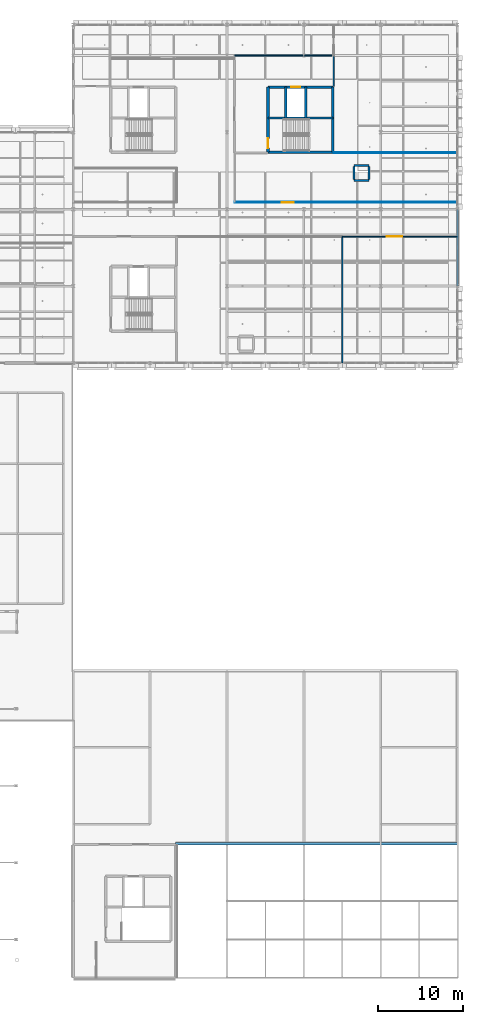
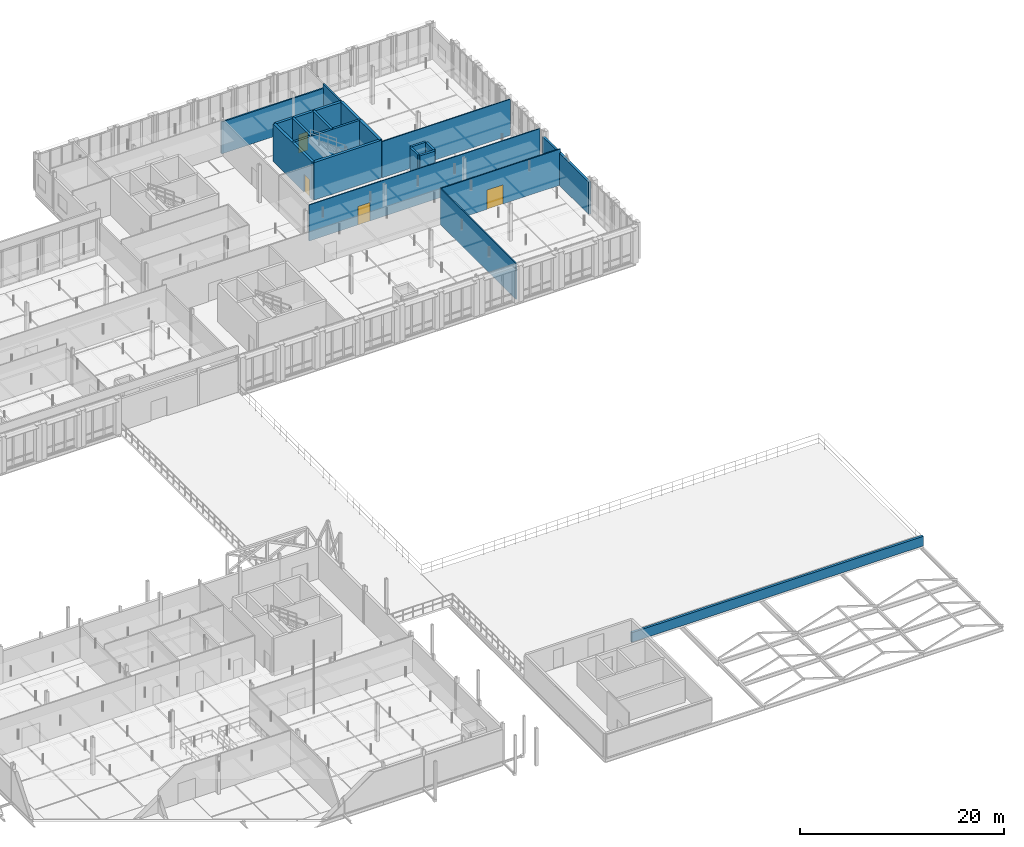
# One storey, part 50 of 89: 19 walls, 4 doors, 4 openings.
"""IFC4 building model written with IfcOpenShell, lengths in metres."""

from ifc_helpers import new_model, si_unit, direction, frame, frame_2d, origin, place, context, subcontext, project, spatial, rectangle, extrude, material, layer, layer_set, type_object, element, fill, save


model = new_model("IFC4")

# Units and contexts
model_context = context("Model", 3, precision=1e-05, world=origin(), true_north=direction((0.0, 1.0)))
body_context = subcontext(model_context, "Body", "Model", "MODEL_VIEW")
ifc_project = project(units=[si_unit("LENGTHUNIT", "METRE"), si_unit("AREAUNIT", "SQUARE_METRE"), si_unit("VOLUMEUNIT", "CUBIC_METRE"), si_unit("PLANEANGLEUNIT", "RADIAN"), si_unit("MASSUNIT", "GRAM", prefix="KILO"), si_unit("THERMODYNAMICTEMPERATUREUNIT", "KELVIN"), si_unit("POWERUNIT", "WATT")], contexts=[model_context])

# Site, building, storey
site_placement = place(None, origin())
site = spatial("IfcSite", under=ifc_project, at=site_placement, CompositionType="ELEMENT")
building_placement = place(site_placement, origin())
building = spatial("IfcBuilding", under=site, at=building_placement, Name="Tallowbark Science Centre", CompositionType="ELEMENT")
storey_placement = place(building_placement, frame((0.0, 0.0, 14.39990234375)))
storey = spatial("IfcBuildingStorey", under=building, at=storey_placement, Name="L03", CompositionType="ELEMENT", Elevation=14.39990234375)

# Walls
ifc_material_1 = material(Name="Capped Terracotta-Clad Roof Parapet Grade N40 (40 MPa)", Category="masonry")
ifc_layer_1 = layer(ifc_material_1, 0.264892578125)
ifc_layer_set_1 = layer_set([ifc_layer_1], Name="Capped Terracotta-Clad Roof Parapet Grade N40 (40 MPa)")
wall_type_1 = type_object("IfcWallType", Name="EWL-PAR-265", PredefinedType="PARAPET", material=ifc_layer_set_1)
wall_1_placement = place(storey_placement, frame((124.5, 15.719970703125, 0.0), z_axis=(0.0, 0.0, 1.0), x_axis=(1.0, 0.0, 0.0)))
element("IfcWall", 1, at=wall_1_placement, inside=storey, type_object=wall_type_1, Name="Roof Parapet PAR-THT-G", PredefinedType="PARAPET", context=body_context, shape_type="SweptSolid", body=[
    extrude(rectangle(XDim=33.0, YDim=0.264892578125, at=frame_2d((16.5, 0.0))), origin(), (0.0, 0.0, 1.0), 1.150146484375),
])
ifc_material_2 = material(Name="Insulated Precast Concrete Panel Grade N40 (40 MPa)", Category="concrete")
ifc_layer_2 = layer(ifc_material_2, 0.25)
ifc_layer_set_2 = layer_set([ifc_layer_2], Name="Insulated Precast Concrete Panel Grade N40 (40 MPa)")
wall_type_2 = type_object("IfcWallType", Name="EWL-PRC-250", PredefinedType="STANDARD", material=ifc_layer_set_2)
wall_2_placement = place(storey_placement, frame((157.5, 81.0, 0.0), z_axis=(0.0, 0.0, 1.0), x_axis=(0.0, 1.0, 0.0)))
element("IfcWall", 2, at=wall_2_placement, inside=storey, type_object=wall_type_2, Name="Exterior Wall OBS-E-L03-81", PredefinedType="STANDARD", context=body_context, shape_type="SweptSolid", body=[
    extrude(rectangle(XDim=9.0, YDim=0.25, at=frame_2d((4.5, 0.0))), origin(), (0.0, 0.0, 1.0), 3.84619140625),
])
ifc_material_3 = material(Name="116 mm Acoustic Steel Stud and 16 mm Fire-Rated Plasterboard", Category="steel")
ifc_layer_3 = layer(ifc_material_3, 0.115966796875)
ifc_layer_set_3 = layer_set([ifc_layer_3], Name="116 mm Acoustic Steel Stud and 16 mm Fire-Rated Plasterboard")
wall_type_3 = type_object("IfcWallType", Name="PTW-116", PredefinedType="PARTITIONING", material=ifc_layer_set_3)
wall_3_placement = place(storey_placement, frame((143.0, 96.60009765625, 0.0), z_axis=(0.0, 0.0, 1.0), x_axis=(1.0, 0.0, 0.0)))
element("IfcWall", 3, at=wall_3_placement, inside=storey, type_object=wall_type_3, Name="Interior Partition PTW-L03-0280", PredefinedType="PARTITIONING", context=body_context, shape_type="SweptSolid", body=[
    extrude(rectangle(XDim=14.5, YDim=0.115966796875, at=frame_2d((7.25, 0.0))), origin(), (0.0, 0.0, 1.0), 4.320068359375),
])
ifc_material_4 = material(Name="132 mm Acoustic Laboratory Steel Stud Partition", Category="steel")
ifc_layer_4 = layer(ifc_material_4, 0.132080078125)
ifc_layer_set_4 = layer_set([ifc_layer_4], Name="132 mm Acoustic Laboratory Steel Stud Partition")
wall_type_4 = type_object("IfcWallType", Name="PTW-132", PredefinedType="PARTITIONING", material=ifc_layer_set_4)
wall_4_placement = place(storey_placement, frame((144.0, 72.0, 0.0), z_axis=(0.0, 0.0, 1.0), x_axis=(0.0, 1.0, 0.0)))
element("IfcWall", 4, at=wall_4_placement, inside=storey, type_object=wall_type_4, Name="Interior Partition PTW-L03-0269", PredefinedType="PARTITIONING", context=body_context, shape_type="SweptSolid", body=[
    extrude(rectangle(XDim=14.800048828125, YDim=0.132080078125, at=frame_2d((7.39990234375, 0.0))), origin(), (0.0, 0.0, 1.0), 4.320068359375),
])

# Wall, opening, door
wall_5_placement = place(storey_placement, frame((144.0, 86.800048828125, 0.0), z_axis=(0.0, 0.0, 1.0), x_axis=(1.0, 0.0, 0.0)))
wall_5 = element("IfcWall", 5, at=wall_5_placement, inside=storey, type_object=wall_type_4, Name="Interior Partition PTW-L03-0270", PredefinedType="PARTITIONING", context=body_context, shape_type="SweptSolid", body=[
    extrude(rectangle(XDim=13.5, YDim=0.132080078125, at=frame_2d((6.75, 0.0))), origin(), (0.0, 0.0, 1.0), 4.320068359375),
])
opening_1_placement = place(wall_5_placement, frame((5.199951171875, 0.0, 0.0)))
opening_1 = element("IfcOpeningElement", 6, at=opening_1_placement, cuts=wall_5, Name="Opening ID-03", PredefinedType="OPENING", context=body_context, shape_type="SweptSolid", body=[
    extrude(rectangle(XDim=1.800048828125, YDim=2.300048828125, at=frame_2d((0.89990234375, 1.14990234375))), frame((0.0, 0.076171875, 0.0), z_axis=(0.0, -1.0, 0.0), x_axis=(1.0, 0.0, 0.0)), (0.0, 0.0, 1.0), 0.152099609375),
])
ifc_material_5 = material(Name="Acoustic Sound-Lock Theatre Pair")
door_type_1 = type_object("IfcDoorType", Name="IDR-AUD-180", OperationType="DOUBLE_DOOR_SINGLE_SWING", PredefinedType="DOOR", material=ifc_material_5)
door_1_placement = place(opening_1_placement, origin())
door_1 = element("IfcDoor", 7, at=door_1_placement, inside=storey, type_object=door_type_1, Name="Interior Door IDR-L03-0120", OperationType="DOUBLE_DOOR_SINGLE_SWING", OverallHeight=2.300048828125, OverallWidth=1.800048828125, PredefinedType="DOOR", context=body_context, shape_type="SweptSolid", body=[
    extrude(rectangle(XDim=1.800048828125, YDim=2.300048828125, at=frame_2d((0.89990234375, 1.14990234375))), frame((0.0, 0.02490234375, 0.0), z_axis=(0.0, -1.0, 0.0), x_axis=(1.0, 0.0, 0.0)), (0.0, 0.0, 1.0), 0.050048828125),
])
fill(opening_1, door_1)

# Walls
ifc_material_6 = material(Name="162 mm Double-Stud Fire-Rated Corridor Partition")
ifc_layer_5 = layer(ifc_material_6, 0.162109375)
ifc_layer_set_5 = layer_set([ifc_layer_5], Name="162 mm Double-Stud Fire-Rated Corridor Partition")
wall_type_5 = type_object("IfcWallType", Name="PTW-162", PredefinedType="PARTITIONING", material=ifc_layer_set_5)
wall_6_placement = place(storey_placement, frame((143.0, 104.39990234375, 0.0), z_axis=(0.0, 0.0, 1.0), x_axis=(0.0, 1.0, 0.0)))
element("IfcWall", 8, at=wall_6_placement, inside=storey, type_object=wall_type_5, Name="Interior Partition PTW-L03-0042", PredefinedType="PARTITIONING", context=body_context, shape_type="SweptSolid", body=[
    extrude(rectangle(XDim=3.60009765625, YDim=0.162109375, at=frame_2d((1.800048828125, 0.0))), origin(), (0.0, 0.0, 1.0), 4.320068359375),
])
wall_7_placement = place(storey_placement, frame((131.39990234375, 108.0, 0.0), z_axis=(0.0, 0.0, 1.0), x_axis=(1.0, 0.0, 0.0)))
element("IfcWall", 9, at=wall_7_placement, inside=storey, type_object=wall_type_5, Name="Interior Partition PTW-L03-0043", PredefinedType="PARTITIONING", context=body_context, shape_type="SweptSolid", body=[
    extrude(rectangle(XDim=11.60009765625, YDim=0.162109375, at=frame_2d((5.800048828125, 0.0))), origin(), (0.0, 0.0, 1.0), 3.81640625),
])

# Wall, opening, door
ifc_material_7 = material(Name="108 mm Acoustic Double-Glazed Laboratory Partition")
ifc_layer_6 = layer(ifc_material_7, 0.10791015625)
ifc_layer_set_6 = layer_set([ifc_layer_6], Name="108 mm Acoustic Double-Glazed Laboratory Partition")
wall_type_6 = type_object("IfcWallType", Name="PTW-GLZ-108", PredefinedType="PARTITIONING", material=ifc_layer_set_6)
wall_8_placement = place(storey_placement, frame((131.39990234375, 90.800048828125, 0.0), z_axis=(0.0, 0.0, 1.0), x_axis=(1.0, 0.0, 0.0)))
wall_8 = element("IfcWall", 10, at=wall_8_placement, inside=storey, type_object=wall_type_6, Name="Interior Partition PTW-L03-0278", PredefinedType="PARTITIONING", context=body_context, shape_type="SweptSolid", body=[
    extrude(rectangle(XDim=26.10009765625, YDim=0.10791015625, at=frame_2d((13.050048828125, 0.0))), origin(), (0.0, 0.0, 1.0), 4.320068359375),
])
opening_2_placement = place(wall_8_placement, frame((5.5, 0.0, 0.0)))
opening_2 = element("IfcOpeningElement", 11, at=opening_2_placement, cuts=wall_8, Name="Opening ID-01", PredefinedType="OPENING", context=body_context, shape_type="SweptSolid", body=[
    extrude(rectangle(XDim=1.39990234375, YDim=2.199951171875, at=frame_2d((0.699951171875, 1.10009765625))), frame((0.0, 0.06396484375, 0.0), z_axis=(0.0, -1.0, 0.0), x_axis=(1.0, 0.0, 0.0)), (0.0, 0.0, 1.0), 0.1279296875),
])
ifc_material_8 = material(Name="Vision-Panel Leaf and Unequal Side Leaf")
door_type_2 = type_object("IfcDoorType", Name="IDR-LAB-140", OperationType="DOUBLE_DOOR_SINGLE_SWING", PredefinedType="DOOR", material=ifc_material_8)
door_2_placement = place(opening_2_placement, origin())
door_2 = element("IfcDoor", 12, at=door_2_placement, inside=storey, type_object=door_type_2, Name="Interior Door IDR-L03-0124", OperationType="DOUBLE_DOOR_SINGLE_SWING", OverallHeight=2.199951171875, OverallWidth=1.39990234375, PredefinedType="DOOR", context=body_context, shape_type="SweptSolid", body=[
    extrude(rectangle(XDim=1.39990234375, YDim=2.199951171875, at=frame_2d((0.699951171875, 1.10009765625))), frame((0.0, 0.02490234375, 0.0), z_axis=(0.0, -1.0, 0.0), x_axis=(1.0, 0.0, 0.0)), (0.0, 0.0, 1.0), 0.050048828125),
])
fill(opening_2, door_2)

ifc_material_9 = material(Name="Concrete Grade N40 (40 MPa)", Category="concrete")
ifc_layer_7 = layer(ifc_material_9, 0.300048828125)
ifc_layer_set_7 = layer_set([ifc_layer_7], Name="Concrete Grade N40 (40 MPa)")
wall_type_7 = type_object("IfcWallType", Name="WL-CORE-300", PredefinedType="SHEAR", material=ifc_layer_set_7)
wall_9_placement = place(storey_placement, frame((135.300048828125, 96.699951171875, 0.0), z_axis=(0.0, 0.0, 1.0), x_axis=(0.0, 1.0, 0.0)))
wall_9 = element("IfcWall", 13, at=wall_9_placement, inside=storey, type_object=wall_type_7, Name="Core C4 Shear Wall L03 W", PredefinedType="SHEAR", context=body_context, shape_type="SweptSolid", body=[
    extrude(rectangle(XDim=7.60009765625, YDim=0.300048828125, at=frame_2d((3.800048828125, 0.0))), origin(), (0.0, 0.0, 1.0), 4.5),
])
opening_3_placement = place(wall_9_placement, frame((0.449951171875, 0.0, 0.0)))
opening_3 = element("IfcOpeningElement", 14, at=opening_3_placement, cuts=wall_9, Name="Opening FD-01", PredefinedType="OPENING", context=body_context, shape_type="SweptSolid", body=[
    extrude(rectangle(XDim=1.14990234375, YDim=2.14990234375, at=frame_2d((0.574951171875, 1.074951171875))), frame((0.0, 0.16015625, 0.0), z_axis=(0.0, -1.0, 0.0), x_axis=(1.0, 0.0, 0.0)), (0.0, 0.0, 1.0), 0.320068359375),
])
ifc_material_10 = material(Name="Fire-Rated Pressed Steel Frame and Solid Core Leaf", Category="steel")
door_type_3 = type_object("IfcDoorType", Name="FDR-STR-115", OperationType="NOTDEFINED", PredefinedType="DOOR", material=ifc_material_10)
door_3_placement = place(opening_3_placement, origin())
door_3 = element("IfcDoor", 15, at=door_3_placement, inside=storey, type_object=door_type_3, Name="Stair ST-04 Fire Door L03", OperationType="SINGLE_SWING_LEFT", OverallHeight=2.14990234375, OverallWidth=1.14990234375, PredefinedType="DOOR", context=body_context, shape_type="SweptSolid", body=[
    extrude(rectangle(XDim=1.14990234375, YDim=2.14990234375, at=frame_2d((0.574951171875, 1.074951171875))), frame((0.0, 0.02490234375, 0.0), z_axis=(0.0, -1.0, 0.0), x_axis=(1.0, 0.0, 0.0)), (0.0, 0.0, 1.0), 0.050048828125),
])
fill(opening_3, door_3)

# Walls
wall_10_placement = place(storey_placement, frame((142.89990234375, 96.699951171875, 0.0), z_axis=(0.0, 0.0, 1.0), x_axis=(0.0, 1.0, 0.0)))
element("IfcWall", 16, at=wall_10_placement, inside=storey, type_object=wall_type_7, Name="Core C4 Shear Wall L03 E", PredefinedType="SHEAR", context=body_context, shape_type="SweptSolid", body=[
    extrude(rectangle(XDim=7.60009765625, YDim=0.300048828125, at=frame_2d((3.800048828125, 0.0))), origin(), (0.0, 0.0, 1.0), 4.5),
])
wall_11_placement = place(storey_placement, frame((135.300048828125, 96.699951171875, 0.0), z_axis=(0.0, 0.0, 1.0), x_axis=(1.0, 0.0, 0.0)))
element("IfcWall", 17, at=wall_11_placement, inside=storey, type_object=wall_type_7, Name="Core C4 Shear Wall L03 S", PredefinedType="SHEAR", context=body_context, shape_type="SweptSolid", body=[
    extrude(rectangle(XDim=7.599853515625, YDim=0.300048828125, at=frame_2d((3.7998046875, 0.0))), origin(), (0.0, 0.0, 1.0), 4.5),
])

# Wall, opening, door
wall_12_placement = place(storey_placement, frame((135.300048828125, 104.300048828125, 0.0), z_axis=(0.0, 0.0, 1.0), x_axis=(1.0, 0.0, 0.0)))
wall_12 = element("IfcWall", 18, at=wall_12_placement, inside=storey, type_object=wall_type_7, Name="Core C4 Shear Wall L03 N", PredefinedType="SHEAR", context=body_context, shape_type="SweptSolid", body=[
    extrude(rectangle(XDim=7.599853515625, YDim=0.300048828125, at=frame_2d((3.7998046875, 0.0))), origin(), (0.0, 0.0, 1.0), 4.5),
])
opening_4_placement = place(wall_12_placement, frame((2.699951171875, 0.0, 0.0)))
opening_4 = element("IfcOpeningElement", 19, at=opening_4_placement, cuts=wall_12, Name="Opening LD-01", PredefinedType="OPENING", context=body_context, shape_type="SweptSolid", body=[
    extrude(rectangle(XDim=1.10009765625, YDim=2.199951171875, at=frame_2d((0.550048828125, 1.10009765625))), frame((0.0, 0.16015625, 0.0), z_axis=(0.0, -1.0, 0.0), x_axis=(1.0, 0.0, 0.0)), (0.0, 0.0, 1.0), 0.320068359375),
])
ifc_material_11 = material(Name="Brushed Stainless Steel Centre-Parting Lift Landing Door", Category="steel")
door_type_4 = type_object("IfcDoorType", Name="LDR-LFT-110", OperationType="DOUBLE_DOOR_SLIDING", PredefinedType="DOOR", material=ifc_material_11)
door_4_placement = place(opening_4_placement, origin())
door_4 = element("IfcDoor", 20, at=door_4_placement, inside=storey, type_object=door_type_4, Name="Lift LF-03 Landing Door L03", OperationType="DOUBLE_DOOR_SLIDING", OverallHeight=2.199951171875, OverallWidth=1.10009765625, PredefinedType="DOOR", context=body_context, shape_type="SweptSolid", body=[
    extrude(rectangle(XDim=1.10009765625, YDim=2.199951171875, at=frame_2d((0.550048828125, 1.10009765625))), frame((0.0, 0.02490234375, 0.0), z_axis=(0.0, -1.0, 0.0), x_axis=(1.0, 0.0, 0.0)), (0.0, 0.0, 1.0), 0.050048828125),
])
fill(opening_4, door_4)

# Walls
ifc_layer_8 = layer(ifc_material_9, 0.25)
ifc_layer_set_8 = layer_set([ifc_layer_8], Name="Concrete Grade N40 (40 MPa)")
wall_type_8 = type_object("IfcWallType", Name="WL-SHAFT-250", PredefinedType="SHEAR", material=ifc_layer_set_8)
wall_13_placement = place(storey_placement, frame((135.300048828125, 100.695068359375, 0.0), z_axis=(0.0, 0.0, 1.0), x_axis=(1.0, 0.0, 0.0)))
element("IfcWall", 21, at=wall_13_placement, inside=storey, type_object=wall_type_8, Name="Core C4 Shear Wall L03 MID", PredefinedType="SHEAR", context=body_context, shape_type="SweptSolid", body=[
    extrude(rectangle(XDim=7.599853515625, YDim=0.25, at=frame_2d((3.7998046875, 0.0))), origin(), (0.0, 0.0, 1.0), 4.5),
])
for number, where, z_axis, x_axis, name in (
    (22, (137.375, 100.695068359375, 0.0), (0.0, 0.0, 1.0), (0.0, 1.0, 0.0), "Core C4 Shear Wall L03 LW"),
    (23, (139.72509765625, 100.695068359375, 0.0), (0.0, 0.0, 1.0), (0.0, 1.0, 0.0), "Core C4 Shear Wall L03 LE"),
):
    element("IfcWall", number, at=place(storey_placement, frame(where, z_axis=z_axis, x_axis=x_axis)), inside=storey, type_object=wall_type_8, Name=name, PredefinedType="SHEAR", context=body_context, shape_type="SweptSolid", body=[
        extrude(rectangle(XDim=3.60498046875, YDim=0.25, at=frame_2d((1.802490234375, 0.0))), origin(), (0.0, 0.0, 1.0), 4.5),
    ])
for number, where, z_axis, x_axis, name in (
    (24, (145.39990234375, 93.375, 0.0), (0.0, 0.0, 1.0), (1.0, 0.0, 0.0), "Service Riser Shaft Wall RSR-OBS-N L03 S"),
    (25, (145.39990234375, 95.125, 0.0), (0.0, 0.0, 1.0), (1.0, 0.0, 0.0), "Service Riser Shaft Wall RSR-OBS-N L03 N"),
):
    element("IfcWall", number, at=place(storey_placement, frame(where, z_axis=z_axis, x_axis=x_axis)), inside=storey, type_object=wall_type_8, Name=name, PredefinedType="SHEAR", context=body_context, shape_type="SweptSolid", body=[
        extrude(rectangle(XDim=1.7001953125, YDim=0.25, at=frame_2d((0.85009765625, 0.0))), origin(), (0.0, 0.0, 1.0), 3.77001953125),
    ])
for number, where, z_axis, x_axis, name in (
    (26, (145.375, 93.5, 0.0), (0.0, 0.0, 1.0), (0.0, 1.0, 0.0), "Service Riser Shaft Wall RSR-OBS-N L03 W"),
    (27, (147.125, 93.5, 0.0), (0.0, 0.0, 1.0), (0.0, 1.0, 0.0), "Service Riser Shaft Wall RSR-OBS-N L03 E"),
):
    element("IfcWall", number, at=place(storey_placement, frame(where, z_axis=z_axis, x_axis=x_axis)), inside=storey, type_object=wall_type_8, Name=name, PredefinedType="SHEAR", context=body_context, shape_type="SweptSolid", body=[
        extrude(rectangle(XDim=1.5, YDim=0.25, at=frame_2d((0.75, 0.0))), origin(), (0.0, 0.0, 1.0), 3.77001953125),
    ])

save(model, "model.ifc")
